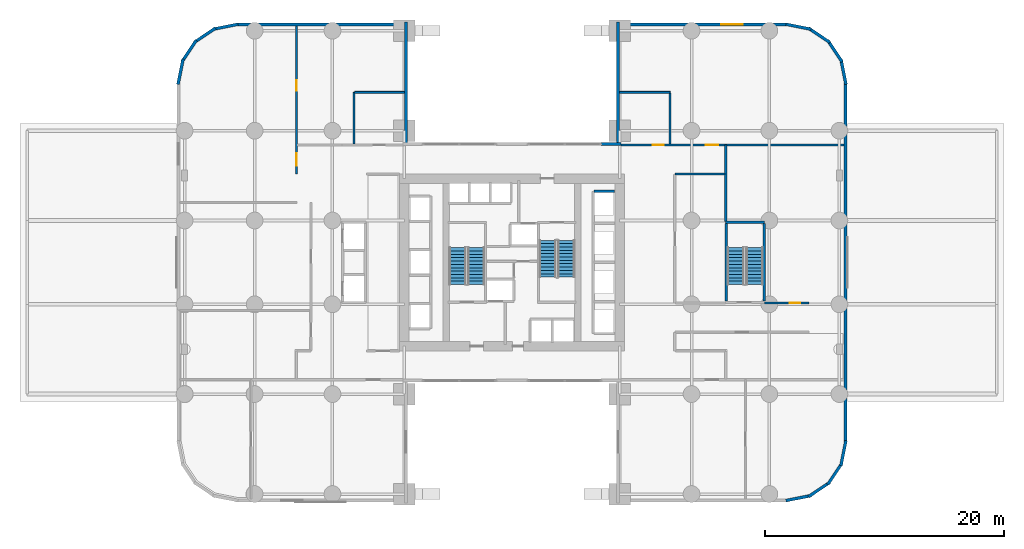
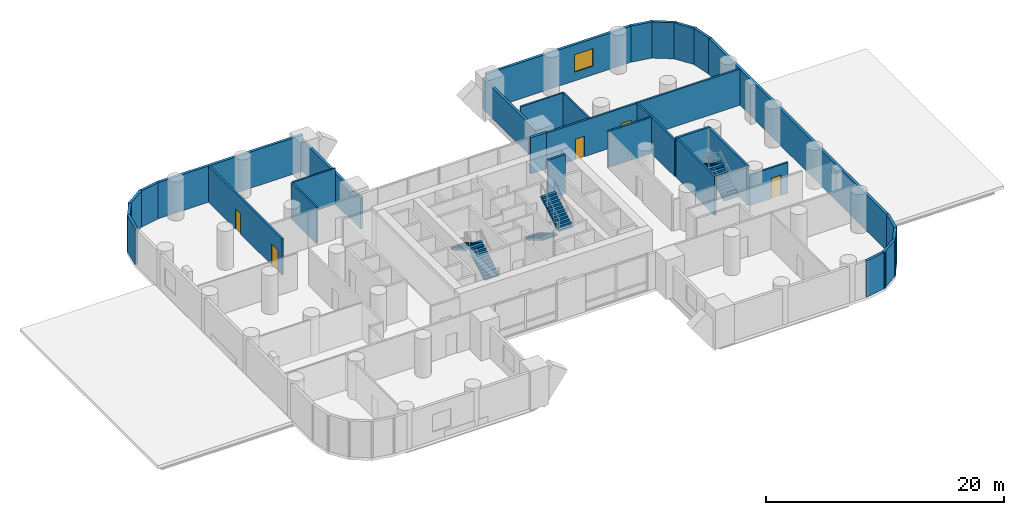
# One storey, part 6 of 8: 31 walls, 6 stair flights, 5 doors, 1 window, 6 openings, 3 elements without a shape of their own.
"""IFC4 building model written with IfcOpenShell, lengths in metres."""

from ifc_helpers import new_model, si_unit, direction, frame, frame_2d, origin, place, context, subcontext, project, spatial, polyline, rectangle, outline, extrude, material, layer, layer_set, type_object, element, fill, aggregate, save


model = new_model("IFC4")

# Units and contexts
model_context = context("Model", 3, precision=1e-05, world=origin(), true_north=direction((0.0, 1.0)))
body_context = subcontext(model_context, "Body", "Model", "MODEL_VIEW")
ifc_project = project(units=[si_unit("LENGTHUNIT", "METRE"), si_unit("AREAUNIT", "SQUARE_METRE"), si_unit("VOLUMEUNIT", "CUBIC_METRE"), si_unit("PLANEANGLEUNIT", "RADIAN"), si_unit("MASSUNIT", "GRAM", prefix="KILO")], contexts=[model_context])

# Site, building, storey
site_placement = place(None, origin())
site = spatial("IfcSite", under=ifc_project, at=site_placement, CompositionType="ELEMENT")
building_placement = place(site_placement, origin())
building = spatial("IfcBuilding", under=site, at=building_placement, Name="Veldorim Arch Residences", CompositionType="ELEMENT")
storey_placement = place(building_placement, frame((0.0, 0.0, 4.0)))
storey = spatial("IfcBuildingStorey", under=building, at=storey_placement, Name="L01", CompositionType="ELEMENT", Elevation=4.0)

# Wall, openings, doors
ifc_material_1 = material(Name="Lightweight Masonry Block & Gypsum", Category="masonry")
ifc_layer_1 = layer(ifc_material_1, 0.179931640625, Name="Compartment & Corridor Fire-Rated Party Wall 180")
ifc_layer_set_1 = layer_set([ifc_layer_1], Name="Lightweight Masonry Block & Gypsum")
wall_type_1 = type_object("IfcWallType", Name="Compartment & Corridor Fire-Rated Party Wall 180", PredefinedType="PARTITIONING", material=ifc_layer_set_1)
wall_1_placement = place(storey_placement, frame((14.0, 31.39990234375, 0.0), z_axis=(0.0, 0.0, 1.0), x_axis=(0.0, 1.0, 0.0)))
wall_1 = element("IfcWall", 1, at=wall_1_placement, inside=storey, type_object=wall_type_1, Name="L01 interior wall WL-POD-L01-005", PredefinedType="PARTITIONING", context=body_context, shape_type="SweptSolid", body=[
    extrude(rectangle(XDim=12.35009765625, YDim=0.179931640625, at=frame_2d((6.175048828125, 0.0))), origin(), (0.0, 0.0, 1.0), 3.715087890625),
])
opening_1_placement = place(wall_1_placement, frame((0.675048828125, 0.0, 0.0)))
opening_1 = element("IfcOpeningElement", 2, at=opening_1_placement, cuts=wall_1, Name="Opening DR-CLN", PredefinedType="OPENING", context=body_context, shape_type="SweptSolid", body=[
    extrude(rectangle(XDim=1.050048828125, YDim=2.14990234375, at=frame_2d((0.52490234375, 1.074951171875))), frame((0.0, 0.099853515625, 0.0), z_axis=(0.0, -1.0, 0.0), x_axis=(1.0, 0.0, 0.0)), (0.0, 0.0, 1.0), 0.199951171875),
])
opening_2_placement = place(wall_1_placement, frame((6.925048828125, 0.0, 0.0)))
opening_2 = element("IfcOpeningElement", 3, at=opening_2_placement, cuts=wall_1, Name="Opening DR-SVC", PredefinedType="OPENING", context=body_context, shape_type="SweptSolid", body=[
    extrude(rectangle(XDim=0.89990234375, YDim=2.10009765625, at=frame_2d((0.449951171875, 1.050048828125))), frame((0.0, 0.099853515625, 0.0), z_axis=(0.0, -1.0, 0.0), x_axis=(1.0, 0.0, 0.0)), (0.0, 0.0, 1.0), 0.199951171875),
])
ifc_material_2 = material(Name="Timber & Vision Panel", Category="wood")
door_type_1 = type_object("IfcDoorType", Name="Polyclinic Wheelchair-Accessible Consultation Door 1050x2150", OperationType="SINGLE_SWING_LEFT", PredefinedType="DOOR", material=ifc_material_2)
door_1_placement = place(opening_1_placement, origin())
door_1 = element("IfcDoor", 4, at=door_1_placement, inside=storey, type_object=door_type_1, Name="L01 interior door DR-POD-L01-005", OperationType="SINGLE_SWING_LEFT", OverallHeight=2.14990234375, OverallWidth=1.050048828125, PredefinedType="DOOR", context=body_context, shape_type="SweptSolid", body=[
    extrude(rectangle(XDim=1.050048828125, YDim=2.14990234375, at=frame_2d((0.52490234375, 1.074951171875))), frame((0.0, 0.02490234375, 0.0), z_axis=(0.0, -1.0, 0.0), x_axis=(1.0, 0.0, 0.0)), (0.0, 0.0, 1.0), 0.050048828125),
])
fill(opening_1, door_1)
ifc_material_3 = material(Name="Fire-Rated Steel", Category="steel")
door_type_2 = type_object("IfcDoorType", Name="Riser, Shelter & Plant Room Rated Steel Door 900x2100", OperationType="SINGLE_SWING_LEFT", PredefinedType="DOOR", material=ifc_material_3)
door_2_placement = place(opening_2_placement, origin())
door_2 = element("IfcDoor", 5, at=door_2_placement, inside=storey, type_object=door_type_2, Name="L01 interior door DR-POD-L01-007", OperationType="SINGLE_SWING_LEFT", OverallHeight=2.10009765625, OverallWidth=0.89990234375, PredefinedType="DOOR", context=body_context, shape_type="SweptSolid", body=[
    extrude(rectangle(XDim=0.89990234375, YDim=2.10009765625, at=frame_2d((0.449951171875, 1.050048828125))), frame((0.0, 0.02490234375, 0.0), z_axis=(0.0, -1.0, 0.0), x_axis=(1.0, 0.0, 0.0)), (0.0, 0.0, 1.0), 0.050048828125),
])
fill(opening_2, door_2)

# Wall
wall_2_placement = place(storey_placement, frame((49.85009765625, 33.800048828125, 0.0), z_axis=(0.0, 0.0, 1.0), x_axis=(0.0, -1.0, 0.0)))
element("IfcWall", 6, at=wall_2_placement, inside=storey, type_object=wall_type_1, Name="L01 interior wall WL-POD-L01-015", PredefinedType="PARTITIONING", context=body_context, shape_type="SweptSolid", body=[
    extrude(rectangle(XDim=6.400146484375, YDim=0.179931640625, at=frame_2d((3.2001953125, 0.0))), origin(), (0.0, 0.0, 1.0), 3.715087890625),
])

# Wall, opening, door
wall_3_placement = place(storey_placement, frame((53.10009765625, 20.60009765625, 0.0), z_axis=(0.0, 0.0, 1.0), x_axis=(1.0, 0.0, 0.0)))
wall_3 = element("IfcWall", 7, at=wall_3_placement, inside=storey, type_object=wall_type_1, Name="L01 interior wall WL-POD-L01-016", PredefinedType="PARTITIONING", context=body_context, shape_type="SweptSolid", body=[
    extrude(rectangle(XDim=3.699951171875, YDim=0.179931640625, at=frame_2d((1.85009765625, 0.0))), origin(), (0.0, 0.0, 1.0), 3.16357421875),
])
opening_3_placement = place(wall_3_placement, frame((2.10009765625, 0.0, 0.0)))
opening_3 = element("IfcOpeningElement", 8, at=opening_3_placement, cuts=wall_3, Name="Opening DR-SVC", PredefinedType="OPENING", context=body_context, shape_type="SweptSolid", body=[
    extrude(rectangle(XDim=0.89990234375, YDim=2.10009765625, at=frame_2d((0.449951171875, 1.050048828125))), frame((0.0, 0.099853515625, 0.0), z_axis=(0.0, -1.0, 0.0), x_axis=(1.0, 0.0, 0.0)), (0.0, 0.0, 1.0), 0.199951171875),
])
door_3_placement = place(opening_3_placement, origin())
door_3 = element("IfcDoor", 9, at=door_3_placement, inside=storey, type_object=door_type_2, Name="L01 interior door DR-POD-L01-012", OperationType="SINGLE_SWING_RIGHT", OverallHeight=2.10009765625, OverallWidth=0.89990234375, PredefinedType="DOOR", context=body_context, shape_type="SweptSolid", body=[
    extrude(rectangle(XDim=0.89990234375, YDim=2.10009765625, at=frame_2d((0.449951171875, 1.050048828125))), frame((0.0, 0.02490234375, 0.0), z_axis=(0.0, -1.0, 0.0), x_axis=(1.0, 0.0, 0.0)), (0.0, 0.0, 1.0), 0.050048828125),
])
fill(opening_3, door_3)

# Wall
wall_4_placement = place(storey_placement, frame((49.7900390625, 31.39990234375, 0.0), z_axis=(0.0, 0.0, 1.0), x_axis=(-1.0, 0.0, 0.0)))
element("IfcWall", 10, at=wall_4_placement, inside=storey, type_object=wall_type_1, Name="L01 interior wall WL-POD-L01-017", PredefinedType="PARTITIONING", context=body_context, shape_type="SweptSolid", body=[
    extrude(rectangle(XDim=4.18994140625, YDim=0.179931640625, at=frame_2d((2.094970703125, 0.0))), origin(), (0.0, 0.0, 1.0), 3.715087890625),
])

# Wall, openings, doors
wall_5_placement = place(storey_placement, frame((40.97998046875, 33.800048828125, 0.0), z_axis=(0.0, 0.0, 1.0), x_axis=(1.0, 0.0, 0.0)))
wall_5 = element("IfcWall", 11, at=wall_5_placement, inside=storey, type_object=wall_type_1, Name="L01 interior wall WL-POD-L01-020", PredefinedType="PARTITIONING", context=body_context, shape_type="SweptSolid", body=[
    extrude(rectangle(XDim=18.77001953125, YDim=0.179931640625, at=frame_2d((9.385009765625, 0.0))), origin(), (0.0, 0.0, 1.0), 3.715087890625),
])
opening_4_placement = place(wall_5_placement, frame((2.780029296875, 0.0, 0.0)))
opening_4 = element("IfcOpeningElement", 12, at=opening_4_placement, cuts=wall_5, Name="Opening DR-WC", PredefinedType="OPENING", context=body_context, shape_type="SweptSolid", body=[
    extrude(rectangle(XDim=0.89990234375, YDim=2.10009765625, at=frame_2d((0.449951171875, 1.050048828125))), frame((0.0, 0.099853515625, 0.0), z_axis=(0.0, -1.0, 0.0), x_axis=(1.0, 0.0, 0.0)), (0.0, 0.0, 1.0), 0.199951171875),
])
opening_5_placement = place(wall_5_placement, frame((7.199951171875, 0.0, 0.0)))
opening_5 = element("IfcOpeningElement", 13, at=opening_5_placement, cuts=wall_5, Name="Opening DR-CLN", PredefinedType="OPENING", context=body_context, shape_type="SweptSolid", body=[
    extrude(rectangle(XDim=1.050048828125, YDim=2.14990234375, at=frame_2d((0.52490234375, 1.074951171875))), frame((0.0, 0.099853515625, 0.0), z_axis=(0.0, -1.0, 0.0), x_axis=(1.0, 0.0, 0.0)), (0.0, 0.0, 1.0), 0.199951171875),
])
ifc_material_4 = material(Name="Laminate Timber", Category="wood")
door_type_3 = type_object("IfcDoorType", Name="Bathroom & Accessible WC Moisture-Sealed Door 900x2100", OperationType="SINGLE_SWING_LEFT", PredefinedType="DOOR", material=ifc_material_4)
door_4_placement = place(opening_4_placement, origin())
door_4 = element("IfcDoor", 14, at=door_4_placement, inside=storey, type_object=door_type_3, Name="L01 interior door DR-POD-L01-014", OperationType="SINGLE_SWING_RIGHT", OverallHeight=2.10009765625, OverallWidth=0.89990234375, PredefinedType="DOOR", context=body_context, shape_type="SweptSolid", body=[
    extrude(rectangle(XDim=0.89990234375, YDim=2.10009765625, at=frame_2d((0.449951171875, 1.050048828125))), frame((0.0, 0.02490234375, 0.0), z_axis=(0.0, -1.0, 0.0), x_axis=(1.0, 0.0, 0.0)), (0.0, 0.0, 1.0), 0.050048828125),
])
fill(opening_4, door_4)
door_5_placement = place(opening_5_placement, origin())
door_5 = element("IfcDoor", 15, at=door_5_placement, inside=storey, type_object=door_type_1, Name="L01 interior door DR-POD-L01-015", OperationType="SINGLE_SWING_LEFT", OverallHeight=2.14990234375, OverallWidth=1.050048828125, PredefinedType="DOOR", context=body_context, shape_type="SweptSolid", body=[
    extrude(rectangle(XDim=1.050048828125, YDim=2.14990234375, at=frame_2d((0.52490234375, 1.074951171875))), frame((0.0, 0.02490234375, 0.0), z_axis=(0.0, -1.0, 0.0), x_axis=(1.0, 0.0, 0.0)), (0.0, 0.0, 1.0), 0.050048828125),
])
fill(opening_5, door_5)

# Walls
ifc_material_5 = material(Name="Concrete C50/60", Category="concrete")
ifc_layer_2 = layer(ifc_material_5, 0.199951171875, Name="Core Stair & Lift Shaft Enclosure Wall 200")
ifc_layer_set_2 = layer_set([ifc_layer_2], Name="Concrete C50/60")
wall_type_2 = type_object("IfcWallType", Name="Core Stair & Lift Shaft Enclosure Wall 200", PredefinedType="SHEAR", material=ifc_layer_set_2)
wall_6_placement = place(storey_placement, frame((38.8701171875, 29.93994140625, 0.0), z_axis=(0.0, 0.0, 1.0), x_axis=(1.0, 0.0, 0.0)))
element("IfcWall", 16, at=wall_6_placement, inside=storey, type_object=wall_type_2, Name="L01 shaft wall WL-B1-L01-N", PredefinedType="SHEAR", context=body_context, shape_type="SweptSolid", body=[
    extrude(rectangle(XDim=1.7099609375, YDim=0.199951171875, at=frame_2d((0.85498046875, 0.0))), origin(), (0.0, 0.0, 1.0), 4.0),
])
for number, where, z_axis, x_axis, name in (
    (17, (49.89990234375, 20.760009765625, 0.0), (0.0, 0.0, 1.0), (0.0, 1.0, 0.0), "L01 shaft wall WL-SHF-L01-ST3-W"),
    (18, (53.06005859375, 20.760009765625, 0.0), (0.0, 0.0, 1.0), (0.0, 1.0, 0.0), "L01 shaft wall WL-SHF-L01-ST3-E"),
):
    element("IfcWall", number, at=place(storey_placement, frame(where, z_axis=z_axis, x_axis=x_axis)), inside=storey, type_object=wall_type_2, Name=name, PredefinedType="SHEAR", context=body_context, shape_type="SweptSolid", body=[
        extrude(rectangle(XDim=6.47998046875, YDim=0.199951171875, at=frame_2d((3.239990234375, 0.0))), origin(), (0.0, 0.0, 1.0), 4.0),
    ])
wall_7_placement = place(storey_placement, frame((49.85009765625, 27.35009765625, 0.0), z_axis=(0.0, 0.0, 1.0), x_axis=(1.0, 0.0, 0.0)))
element("IfcWall", 19, at=wall_7_placement, inside=storey, type_object=wall_type_2, Name="L01 shaft wall WL-SHF-L01-ST3-N", PredefinedType="SHEAR", context=body_context, shape_type="SweptSolid", body=[
    extrude(rectangle(XDim=3.260009765625, YDim=0.199951171875, at=frame_2d((1.6298828125, 0.0))), origin(), (0.0, 0.0, 1.0), 4.0),
])
ifc_material_6 = material(Name="Precast concrete C40/50", Category="concrete")
ifc_layer_3 = layer(ifc_material_6, 0.25, Name="Podium Terracotta Insulated Facade Wall 250")
ifc_layer_set_3 = layer_set([ifc_layer_3], Name="Precast concrete C40/50")
wall_type_3 = type_object("IfcWallType", Name="Podium Terracotta Insulated Facade Wall 250", PredefinedType="SOLIDWALL", material=ifc_layer_set_3)
wall_8_placement = place(storey_placement, frame((54.87744140625, 43.89697265625, 0.0), z_axis=(0.0, 0.0, 1.0), x_axis=(0.980780974951, -0.195111965738, 0.0)))
element("IfcWall", 20, at=wall_8_placement, inside=storey, type_object=wall_type_3, Name="L01 podium terracotta facade wall 00", PredefinedType="SOLIDWALL", context=body_context, shape_type="SweptSolid", body=[
    extrude(rectangle(XDim=2.15087890625, YDim=0.25, at=frame_2d((1.075439453125, 0.0))), origin(), (0.0, 0.0, 1.0), 3.719970703125),
])
for number, where, z_axis, x_axis, name in (
    (21, (56.7607421875, 43.571044921875, 0.0), (0.0, 0.0, 1.0), (0.831473633615, -0.555564214653, 0.0), "L01 podium terracotta facade wall 01"),
    (22, (58.3759765625, 42.54931640625, 0.0), (0.0, 0.0, 1.0), (0.555564214653, -0.831473633615, 0.0), "L01 podium terracotta facade wall 02"),
):
    element("IfcWall", number, at=place(storey_placement, frame(where, z_axis=z_axis, x_axis=x_axis)), inside=storey, type_object=wall_type_3, Name=name, PredefinedType="SOLIDWALL", context=body_context, shape_type="SweptSolid", body=[
        extrude(rectangle(XDim=2.151123046875, YDim=0.25, at=frame_2d((1.07568359375, 0.0))), origin(), (0.0, 0.0, 1.0), 3.719970703125),
    ])
wall_9_placement = place(storey_placement, frame((59.477294921875, 40.987060546875, 0.0), z_axis=(0.0, 0.0, 1.0), x_axis=(0.195111965738, -0.980780974951, 0.0)))
element("IfcWall", 23, at=wall_9_placement, inside=storey, type_object=wall_type_3, Name="L01 podium terracotta facade wall 03", PredefinedType="SOLIDWALL", context=body_context, shape_type="SweptSolid", body=[
    extrude(rectangle(XDim=2.15087890625, YDim=0.25, at=frame_2d((1.075439453125, 0.0))), origin(), (0.0, 0.0, 1.0), 3.719970703125),
])
wall_10_placement = place(storey_placement, frame((59.875, 39.10009765625, 0.0), z_axis=(0.0, 0.0, 1.0), x_axis=(0.0, -1.0, 0.0)))
element("IfcWall", 24, at=wall_10_placement, inside=storey, type_object=wall_type_3, Name="L01 podium terracotta facade wall 04", PredefinedType="SOLIDWALL", context=body_context, shape_type="SweptSolid", body=[
    extrude(rectangle(XDim=30.2001953125, YDim=0.25, at=frame_2d((15.10009765625, 0.0))), origin(), (0.0, 0.0, 1.0), 3.719970703125),
])
wall_11_placement = place(storey_placement, frame((59.89697265625, 9.12255859375, 0.0), z_axis=(0.0, 0.0, 1.0), x_axis=(-0.195111965738, -0.980780974951, 0.0)))
element("IfcWall", 25, at=wall_11_placement, inside=storey, type_object=wall_type_3, Name="L01 podium terracotta facade wall 05", PredefinedType="SOLIDWALL", context=body_context, shape_type="SweptSolid", body=[
    extrude(rectangle(XDim=2.15087890625, YDim=0.25, at=frame_2d((1.075439453125, 0.0))), origin(), (0.0, 0.0, 1.0), 3.719970703125),
])
for number, where, z_axis, x_axis, name in (
    (26, (59.571044921875, 7.2392578125, 0.0), (0.0, 0.0, 1.0), (-0.555564214653, -0.831473633615, 0.0), "L01 podium terracotta facade wall 06"),
    (27, (58.54931640625, 5.6240234375, 0.0), (0.0, 0.0, 1.0), (-0.831473633615, -0.555564214653, 0.0), "L01 podium terracotta facade wall 07"),
):
    element("IfcWall", number, at=place(storey_placement, frame(where, z_axis=z_axis, x_axis=x_axis)), inside=storey, type_object=wall_type_3, Name=name, PredefinedType="SOLIDWALL", context=body_context, shape_type="SweptSolid", body=[
        extrude(rectangle(XDim=2.151123046875, YDim=0.25, at=frame_2d((1.07568359375, 0.0))), origin(), (0.0, 0.0, 1.0), 3.719970703125),
    ])
for number, where, z_axis, x_axis, name in (
    (28, (56.987060546875, 4.522705078125, 0.0), (0.0, 0.0, 1.0), (-0.980780974951, -0.195111965738, 0.0), "L01 podium terracotta facade wall 08"),
    (29, (4.10302734375, 38.87744140625, 0.0), (0.0, 0.0, 1.0), (0.195111965738, 0.980780974951, 0.0), "L01 podium terracotta facade wall 19"),
):
    element("IfcWall", number, at=place(storey_placement, frame(where, z_axis=z_axis, x_axis=x_axis)), inside=storey, type_object=wall_type_3, Name=name, PredefinedType="SOLIDWALL", context=body_context, shape_type="SweptSolid", body=[
        extrude(rectangle(XDim=2.15087890625, YDim=0.25, at=frame_2d((1.075439453125, 0.0))), origin(), (0.0, 0.0, 1.0), 3.719970703125),
    ])
for number, where, z_axis, x_axis, name in (
    (30, (4.428955078125, 40.7607421875, 0.0), (0.0, 0.0, 1.0), (0.555564214653, 0.831473633615, 0.0), "L01 podium terracotta facade wall 20"),
    (31, (5.45068359375, 42.3759765625, 0.0), (0.0, 0.0, 1.0), (0.831473633615, 0.555564214653, 0.0), "L01 podium terracotta facade wall 21"),
):
    element("IfcWall", number, at=place(storey_placement, frame(where, z_axis=z_axis, x_axis=x_axis)), inside=storey, type_object=wall_type_3, Name=name, PredefinedType="SOLIDWALL", context=body_context, shape_type="SweptSolid", body=[
        extrude(rectangle(XDim=2.151123046875, YDim=0.25, at=frame_2d((1.07568359375, 0.0))), origin(), (0.0, 0.0, 1.0), 3.719970703125),
    ])
wall_12_placement = place(storey_placement, frame((7.012939453125, 43.477294921875, 0.0), z_axis=(0.0, 0.0, 1.0), x_axis=(0.980780974951, 0.195111965738, 0.0)))
element("IfcWall", 32, at=wall_12_placement, inside=storey, type_object=wall_type_3, Name="L01 podium terracotta facade wall 22", PredefinedType="SOLIDWALL", context=body_context, shape_type="SweptSolid", body=[
    extrude(rectangle(XDim=2.15087890625, YDim=0.25, at=frame_2d((1.075439453125, 0.0))), origin(), (0.0, 0.0, 1.0), 3.719970703125),
])
wall_13_placement = place(storey_placement, frame((8.89990234375, 43.875, 0.0), z_axis=(0.0, 0.0, 1.0), x_axis=(1.0, 0.0, 0.0)))
element("IfcWall", 33, at=wall_13_placement, inside=storey, type_object=wall_type_3, Name="L01 podium terracotta facade wall 23", PredefinedType="SOLIDWALL", context=body_context, shape_type="SweptSolid", body=[
    extrude(rectangle(XDim=14.2001953125, YDim=0.25, at=frame_2d((7.10009765625, 0.0))), origin(), (0.0, 0.0, 1.0), 3.719970703125),
])
wall_14_placement = place(storey_placement, frame((23.125, 33.89990234375, 0.0), z_axis=(0.0, 0.0, 1.0), x_axis=(0.0, 1.0, 0.0)))
element("IfcWall", 34, at=wall_14_placement, inside=storey, type_object=wall_type_3, Name="L01 podium terracotta facade wall 24", PredefinedType="SOLIDWALL", context=body_context, shape_type="SweptSolid", body=[
    extrude(rectangle(XDim=10.2001953125, YDim=0.25, at=frame_2d((5.10009765625, 0.0))), origin(), (0.0, 0.0, 1.0), 3.17822265625),
])
wall_15_placement = place(storey_placement, frame((39.449951171875, 33.875, 0.0), z_axis=(0.0, 0.0, 1.0), x_axis=(1.0, 0.0, 0.0)))
element("IfcWall", 35, at=wall_15_placement, inside=storey, type_object=wall_type_3, Name="L01 podium facade pier wall 25B", PredefinedType="SOLIDWALL", context=body_context, shape_type="SweptSolid", body=[
    extrude(rectangle(XDim=1.650146484375, YDim=0.25, at=frame_2d((0.8251953125, 0.0))), origin(), (0.0, 0.0, 1.0), 3.719970703125),
])
wall_16_placement = place(storey_placement, frame((40.875, 44.10009765625, 0.0), z_axis=(0.0, 0.0, 1.0), x_axis=(0.0, -1.0, 0.0)))
element("IfcWall", 36, at=wall_16_placement, inside=storey, type_object=wall_type_3, Name="L01 podium terracotta facade wall 26", PredefinedType="SOLIDWALL", context=body_context, shape_type="SweptSolid", body=[
    extrude(rectangle(XDim=10.2001953125, YDim=0.25, at=frame_2d((5.10009765625, 0.0))), origin(), (0.0, 0.0, 1.0), 3.17822265625),
])

# Wall, opening, window
wall_17_placement = place(storey_placement, frame((40.89990234375, 43.875, 0.0), z_axis=(0.0, 0.0, 1.0), x_axis=(1.0, 0.0, 0.0)))
wall_17 = element("IfcWall", 37, at=wall_17_placement, inside=storey, type_object=wall_type_3, Name="L01 podium terracotta facade wall 27", PredefinedType="SOLIDWALL", context=body_context, shape_type="SweptSolid", body=[
    extrude(rectangle(XDim=14.2001953125, YDim=0.25, at=frame_2d((7.10009765625, 0.0))), origin(), (0.0, 0.0, 1.0), 3.719970703125),
])
opening_6_placement = place(wall_17_placement, frame((8.56689453125, 0.0, 0.89990234375)))
opening_6 = element("IfcOpeningElement", 38, at=opening_6_placement, cuts=wall_17, Name="Opening WN-01", PredefinedType="OPENING", context=body_context, shape_type="SweptSolid", body=[
    extrude(rectangle(XDim=1.800048828125, YDim=1.800048828125, at=frame_2d((0.89990234375, 0.89990234375))), frame((0.0, 0.135009765625, 0.0), z_axis=(0.0, -1.0, 0.0), x_axis=(1.0, 0.0, 0.0)), (0.0, 0.0, 1.0), 0.27001953125),
])
ifc_material_7 = material(Name="Laminated Low-E Glass", Category="glass")
window_type = type_object("IfcWindowType", Name="Polyclinic Double-Glazed Window 1800x1800", PartitioningType="SINGLE_PANEL", PredefinedType="WINDOW", material=ifc_material_7)
window_placement = place(opening_6_placement, origin())
window = element("IfcWindow", 39, at=window_placement, inside=storey, type_object=window_type, Name="L01 outpatient clinic window 27-2", OverallHeight=1.800048828125, OverallWidth=1.800048828125, PartitioningType="SINGLE_PANEL", PredefinedType="WINDOW", context=body_context, shape_type="SweptSolid", body=[
    extrude(rectangle(XDim=1.800048828125, YDim=1.800048828125, at=frame_2d((0.89990234375, 0.89990234375))), frame((0.0, 0.030029296875, 0.0), z_axis=(0.0, -1.0, 0.0), x_axis=(1.0, 0.0, 0.0)), (0.0, 0.0, 1.0), 0.06005859375),
])
fill(opening_6, window)

# Walls
ifc_material_8 = material(Name="Moisture-Resistant Gypsum & Stud", Category="gypsum")
ifc_layer_4 = layer(ifc_material_8, 0.159912109375, Name="Wet-Area Moisture-Resistant Plumbing Wall 160")
ifc_layer_set_4 = layer_set([ifc_layer_4], Name="Moisture-Resistant Gypsum & Stud")
wall_type_4 = type_object("IfcWallType", Name="Wet-Area Moisture-Resistant Plumbing Wall 160", PredefinedType="PLUMBINGWALL", material=ifc_layer_set_4)
wall_18_placement = place(storey_placement, frame((18.800048828125, 33.89990234375, 0.0), z_axis=(0.0, 0.0, 1.0), x_axis=(0.0, 1.0, 0.0)))
element("IfcWall", 40, at=wall_18_placement, inside=storey, type_object=wall_type_4, Name="L01 interior wall WL-POD-L01-025", PredefinedType="PLUMBINGWALL", context=body_context, shape_type="SweptSolid", body=[
    extrude(rectangle(XDim=4.300048828125, YDim=0.159912109375, at=frame_2d((2.14990234375, 0.0))), origin(), (0.0, 0.0, 1.0), 3.715087890625),
])
wall_19_placement = place(storey_placement, frame((18.860107421875, 38.199951171875, 0.0), z_axis=(0.0, 0.0, 1.0), x_axis=(1.0, 0.0, 0.0)))
element("IfcWall", 41, at=wall_19_placement, inside=storey, type_object=wall_type_4, Name="L01 interior wall WL-POD-L01-026", PredefinedType="PLUMBINGWALL", context=body_context, shape_type="SweptSolid", body=[
    extrude(rectangle(XDim=4.139892578125, YDim=0.159912109375, at=frame_2d((2.06982421875, 0.0))), origin(), (0.0, 0.0, 1.0), 3.715087890625),
])
wall_20_placement = place(storey_placement, frame((41.0, 38.199951171875, 0.0), z_axis=(0.0, 0.0, 1.0), x_axis=(1.0, 0.0, 0.0)))
element("IfcWall", 42, at=wall_20_placement, inside=storey, type_object=wall_type_4, Name="L01 interior wall WL-POD-L01-028", PredefinedType="PLUMBINGWALL", context=body_context, shape_type="SweptSolid", body=[
    extrude(rectangle(XDim=4.199951171875, YDim=0.159912109375, at=frame_2d((2.10009765625, 0.0))), origin(), (0.0, 0.0, 1.0), 3.715087890625),
])
wall_21_placement = place(storey_placement, frame((45.199951171875, 38.139892578125, 0.0), z_axis=(0.0, 0.0, 1.0), x_axis=(0.0, -1.0, 0.0)))
element("IfcWall", 43, at=wall_21_placement, inside=storey, type_object=wall_type_4, Name="L01 interior wall WL-POD-L01-029", PredefinedType="PLUMBINGWALL", context=body_context, shape_type="SweptSolid", body=[
    extrude(rectangle(XDim=4.239990234375, YDim=0.159912109375, at=frame_2d((2.1201171875, 0.0))), origin(), (0.0, 0.0, 1.0), 3.715087890625),
])

# Stair, stair flights
ifc_material_9 = material(Name="Concrete C40/50", Category="concrete")
stair_type = type_object("IfcStairType", Name="Reinforced Concrete Dogleg Exit Staircase", PredefinedType="HALF_TURN_STAIR", material=ifc_material_9)
stair_1_placement = place(storey_placement, origin())
stair_1 = element("IfcStair", 44, at=stair_1_placement, inside=storey, type_object=stair_type, Name="L01 Exit Staircase ST-1", PredefinedType="HALF_TURN_STAIR")
ifc_material_10 = material(Name="Concrete C40/50", Category="concrete")
stair_flight_type = type_object("IfcStairFlightType", Name="Reinforced Concrete Stair Flight 1400", PredefinedType="STRAIGHT", material=ifc_material_10)
stair_flight_1_placement = place(storey_placement, frame((29.010009765625, 22.14990234375, 0.0), z_axis=(0.0, 0.0, 1.0), x_axis=(0.0, 1.0, 0.0)))
stair_flight_1 = element("IfcStairFlight", 45, at=stair_flight_1_placement, type_object=stair_flight_type, Name="ST-1 flight 1", NumberOfRisers=12, NumberOfTreads=11, PredefinedType="STRAIGHT", RiserHeight=0.166666667, TreadLength=0.28, context=body_context, shape_type="SweptSolid", body=[
    extrude(outline(polyline([(0.0, 0.0), (0.0, 0.166748046875), (0.280029296875, 0.166748046875), (0.280029296875, 0.333251953125), (0.56005859375, 0.333251953125), (0.56005859375, 0.5), (0.840087890625, 0.5), (0.840087890625, 0.666748046875), (1.1201171875, 0.666748046875), (1.1201171875, 0.833251953125), (1.39990234375, 0.833251953125), (1.39990234375, 1.0), (1.679931640625, 1.0), (1.679931640625, 1.166748046875), (1.9599609375, 1.166748046875), (1.9599609375, 1.333251953125), (2.239990234375, 1.333251953125), (2.239990234375, 1.5), (2.52001953125, 1.5), (2.52001953125, 1.666748046875), (2.800048828125, 1.666748046875), (2.800048828125, 1.833251953125), (3.080078125, 1.833251953125), (3.080078125, 2.0), (3.080078125, 1.647216796875), (0.312744140625, 0.0), (0.0, 0.0)])), frame((0.0, 0.699951171875, 0.0), z_axis=(0.0, -1.0, 0.0), x_axis=(1.0, 0.0, 0.0)), (0.0, 0.0, 1.0), 1.39990234375),
])
stair_flight_2_placement = place(storey_placement, frame((27.449951171875, 25.22998046875, 2.0), z_axis=(0.0, 0.0, 1.0), x_axis=(0.0, -1.0, 0.0)))
stair_flight_2 = element("IfcStairFlight", 46, at=stair_flight_2_placement, type_object=stair_flight_type, Name="ST-1 flight 2", NumberOfRisers=12, NumberOfTreads=11, PredefinedType="STRAIGHT", RiserHeight=0.166666667, TreadLength=0.28, context=body_context, shape_type="SweptSolid", body=[
    extrude(outline(polyline([(0.0, 0.0), (0.0, 0.166748046875), (0.280029296875, 0.166748046875), (0.280029296875, 0.333251953125), (0.56005859375, 0.333251953125), (0.56005859375, 0.5), (0.840087890625, 0.5), (0.840087890625, 0.666748046875), (1.1201171875, 0.666748046875), (1.1201171875, 0.833251953125), (1.39990234375, 0.833251953125), (1.39990234375, 1.0), (1.679931640625, 1.0), (1.679931640625, 1.166748046875), (1.9599609375, 1.166748046875), (1.9599609375, 1.333251953125), (2.239990234375, 1.333251953125), (2.239990234375, 1.5), (2.52001953125, 1.5), (2.52001953125, 1.666748046875), (2.800048828125, 1.666748046875), (2.800048828125, 1.833251953125), (3.080078125, 1.833251953125), (3.080078125, 2.0), (3.080078125, 1.647216796875), (0.312744140625, 0.0), (0.0, 0.0)])), frame((0.0, 0.699951171875, 0.0), z_axis=(0.0, -1.0, 0.0), x_axis=(1.0, 0.0, 0.0)), (0.0, 0.0, 1.0), 1.39990234375),
])
aggregate(stair_1, [stair_flight_1, stair_flight_2])

stair_2_placement = place(storey_placement, origin())
stair_2 = element("IfcStair", 47, at=stair_2_placement, inside=storey, type_object=stair_type, Name="L01 Exit Staircase ST-2", PredefinedType="HALF_TURN_STAIR")
stair_flight_3_placement = place(storey_placement, frame((34.989990234375, 25.85009765625, 0.0), z_axis=(0.0, 0.0, 1.0), x_axis=(0.0, -1.0, 0.0)))
stair_flight_3 = element("IfcStairFlight", 48, at=stair_flight_3_placement, type_object=stair_flight_type, Name="ST-2 flight 1", NumberOfRisers=12, NumberOfTreads=11, PredefinedType="STRAIGHT", RiserHeight=0.166666667, TreadLength=0.28, context=body_context, shape_type="SweptSolid", body=[
    extrude(outline(polyline([(0.0, 0.0), (0.0, 0.166748046875), (0.280029296875, 0.166748046875), (0.280029296875, 0.333251953125), (0.56005859375, 0.333251953125), (0.56005859375, 0.5), (0.840087890625, 0.5), (0.840087890625, 0.666748046875), (1.1201171875, 0.666748046875), (1.1201171875, 0.833251953125), (1.39990234375, 0.833251953125), (1.39990234375, 1.0), (1.679931640625, 1.0), (1.679931640625, 1.166748046875), (1.9599609375, 1.166748046875), (1.9599609375, 1.333251953125), (2.239990234375, 1.333251953125), (2.239990234375, 1.5), (2.52001953125, 1.5), (2.52001953125, 1.666748046875), (2.800048828125, 1.666748046875), (2.800048828125, 1.833251953125), (3.080078125, 1.833251953125), (3.080078125, 2.0), (3.080078125, 1.647216796875), (0.312744140625, 0.0), (0.0, 0.0)])), frame((0.0, 0.699951171875, 0.0), z_axis=(0.0, -1.0, 0.0), x_axis=(1.0, 0.0, 0.0)), (0.0, 0.0, 1.0), 1.39990234375),
])
stair_flight_4_placement = place(storey_placement, frame((36.550048828125, 22.77001953125, 2.0), z_axis=(0.0, 0.0, 1.0), x_axis=(0.0, 1.0, 0.0)))
stair_flight_4 = element("IfcStairFlight", 49, at=stair_flight_4_placement, type_object=stair_flight_type, Name="ST-2 flight 2", NumberOfRisers=12, NumberOfTreads=11, PredefinedType="STRAIGHT", RiserHeight=0.166666667, TreadLength=0.28, context=body_context, shape_type="SweptSolid", body=[
    extrude(outline(polyline([(0.0, 0.0), (0.0, 0.166748046875), (0.280029296875, 0.166748046875), (0.280029296875, 0.333251953125), (0.56005859375, 0.333251953125), (0.56005859375, 0.5), (0.840087890625, 0.5), (0.840087890625, 0.666748046875), (1.1201171875, 0.666748046875), (1.1201171875, 0.833251953125), (1.39990234375, 0.833251953125), (1.39990234375, 1.0), (1.679931640625, 1.0), (1.679931640625, 1.166748046875), (1.9599609375, 1.166748046875), (1.9599609375, 1.333251953125), (2.239990234375, 1.333251953125), (2.239990234375, 1.5), (2.52001953125, 1.5), (2.52001953125, 1.666748046875), (2.800048828125, 1.666748046875), (2.800048828125, 1.833251953125), (3.080078125, 1.833251953125), (3.080078125, 2.0), (3.080078125, 1.647216796875), (0.312744140625, 0.0), (0.0, 0.0)])), frame((0.0, 0.699951171875, 0.0), z_axis=(0.0, -1.0, 0.0), x_axis=(1.0, 0.0, 0.0)), (0.0, 0.0, 1.0), 1.39990234375),
])
aggregate(stair_2, [stair_flight_3, stair_flight_4])

stair_3_placement = place(storey_placement, origin())
stair_3 = element("IfcStair", 50, at=stair_3_placement, inside=storey, type_object=stair_type, Name="L01 Exit Staircase ST-3", PredefinedType="HALF_TURN_STAIR")
stair_flight_5_placement = place(storey_placement, frame((52.260009765625, 22.14990234375, 0.0), z_axis=(0.0, 0.0, 1.0), x_axis=(0.0, 1.0, 0.0)))
stair_flight_5 = element("IfcStairFlight", 51, at=stair_flight_5_placement, type_object=stair_flight_type, Name="ST-3 flight 1", NumberOfRisers=12, NumberOfTreads=11, PredefinedType="STRAIGHT", RiserHeight=0.166666667, TreadLength=0.28, context=body_context, shape_type="SweptSolid", body=[
    extrude(outline(polyline([(0.0, 0.0), (0.0, 0.166748046875), (0.280029296875, 0.166748046875), (0.280029296875, 0.333251953125), (0.56005859375, 0.333251953125), (0.56005859375, 0.5), (0.840087890625, 0.5), (0.840087890625, 0.666748046875), (1.1201171875, 0.666748046875), (1.1201171875, 0.833251953125), (1.39990234375, 0.833251953125), (1.39990234375, 1.0), (1.679931640625, 1.0), (1.679931640625, 1.166748046875), (1.9599609375, 1.166748046875), (1.9599609375, 1.333251953125), (2.239990234375, 1.333251953125), (2.239990234375, 1.5), (2.52001953125, 1.5), (2.52001953125, 1.666748046875), (2.800048828125, 1.666748046875), (2.800048828125, 1.833251953125), (3.080078125, 1.833251953125), (3.080078125, 2.0), (3.080078125, 1.647216796875), (0.312744140625, 0.0), (0.0, 0.0)])), frame((0.0, 0.699951171875, 0.0), z_axis=(0.0, -1.0, 0.0), x_axis=(1.0, 0.0, 0.0)), (0.0, 0.0, 1.0), 1.39990234375),
])
stair_flight_6_placement = place(storey_placement, frame((50.699951171875, 25.22998046875, 2.0), z_axis=(0.0, 0.0, 1.0), x_axis=(0.0, -1.0, 0.0)))
stair_flight_6 = element("IfcStairFlight", 52, at=stair_flight_6_placement, type_object=stair_flight_type, Name="ST-3 flight 2", NumberOfRisers=12, NumberOfTreads=11, PredefinedType="STRAIGHT", RiserHeight=0.166666667, TreadLength=0.28, context=body_context, shape_type="SweptSolid", body=[
    extrude(outline(polyline([(0.0, 0.0), (0.0, 0.166748046875), (0.280029296875, 0.166748046875), (0.280029296875, 0.333251953125), (0.56005859375, 0.333251953125), (0.56005859375, 0.5), (0.840087890625, 0.5), (0.840087890625, 0.666748046875), (1.1201171875, 0.666748046875), (1.1201171875, 0.833251953125), (1.39990234375, 0.833251953125), (1.39990234375, 1.0), (1.679931640625, 1.0), (1.679931640625, 1.166748046875), (1.9599609375, 1.166748046875), (1.9599609375, 1.333251953125), (2.239990234375, 1.333251953125), (2.239990234375, 1.5), (2.52001953125, 1.5), (2.52001953125, 1.666748046875), (2.800048828125, 1.666748046875), (2.800048828125, 1.833251953125), (3.080078125, 1.833251953125), (3.080078125, 2.0), (3.080078125, 1.647216796875), (0.312744140625, 0.0), (0.0, 0.0)])), frame((0.0, 0.699951171875, 0.0), z_axis=(0.0, -1.0, 0.0), x_axis=(1.0, 0.0, 0.0)), (0.0, 0.0, 1.0), 1.39990234375),
])
aggregate(stair_3, [stair_flight_5, stair_flight_6])

save(model, "model.ifc")
